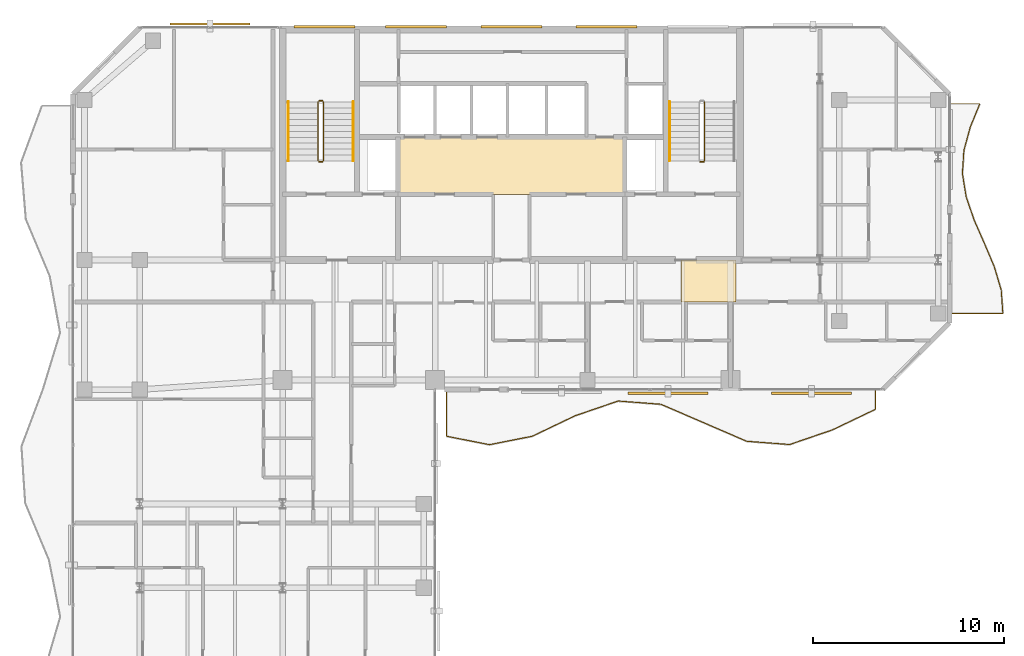
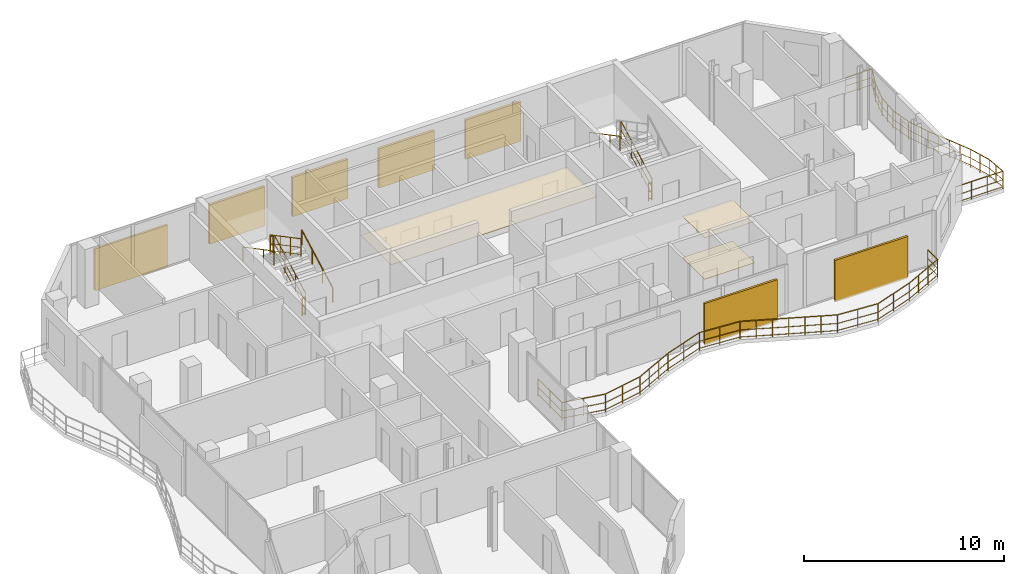
# One storey, part 23 of 24: 11 railings, 7 shading devices, 3 coverings.
"""IFC4 building model written with IfcOpenShell, lengths in metres."""

from ifc_helpers import new_model, si_unit, direction, frame, origin, origin_2d, place, context, subcontext, project, spatial, polyline, rectangle, circle, outline, extrude, material, layer, layer_set, type_object, element, save


model = new_model("IFC4")

# Units and contexts
model_context = context("Model", 3, precision=1e-05, world=origin(), true_north=direction((0.0, 1.0)))
body_context = subcontext(model_context, "Body", "Model", "MODEL_VIEW")
ifc_project = project(units=[si_unit("LENGTHUNIT", "METRE"), si_unit("AREAUNIT", "SQUARE_METRE"), si_unit("VOLUMEUNIT", "CUBIC_METRE"), si_unit("PLANEANGLEUNIT", "RADIAN"), si_unit("MASSUNIT", "GRAM", prefix="KILO")], contexts=[model_context])

# Site, building, storey
site_placement = place(None, origin())
site = spatial("IfcSite", under=ifc_project, at=site_placement, CompositionType="ELEMENT")
building_placement = place(site_placement, origin())
building = spatial("IfcBuilding", under=site, at=building_placement, Name="Catumbela Crestline Tower", CompositionType="ELEMENT")
storey_placement = place(building_placement, frame((0.0, 0.0, 157.8)))
storey = spatial("IfcBuildingStorey", under=building, at=storey_placement, Name="L40", CompositionType="ELEMENT", Elevation=157.8)

# Coverings
ifc_material_1 = material(Name="Mineral-fibre acoustic ceiling")
ifc_layer_1 = layer(ifc_material_1, 0.03, Name="Mineral-fibre acoustic ceiling")
ifc_layer_set_1 = layer_set([ifc_layer_1], Name="Mineral-fibre acoustic ceiling")
covering_type_1 = type_object("IfcCoveringType", Name="CC-AC", PredefinedType="CEILING", material=ifc_layer_set_1)
covering_1_placement = place(storey_placement, frame((0.0, 0.0, 2.65)))
element("IfcCovering", 1, at=covering_1_placement, inside=storey, type_object=covering_type_1, Name="L40 Lift Lobby Acoustic Ceiling", PredefinedType="CEILING", context=body_context, shape_type="SweptSolid", body=[
    extrude(outline(polyline([(22.05, 34.25), (33.95, 34.25), (33.95, 37.25), (22.05, 37.25), (22.05, 34.25)])), origin(), (0.0, 0.0, 1.0), 0.03),
])
covering_2_placement = place(storey_placement, frame((0.0, 0.0, 2.52)))
element("IfcCovering", 2, at=covering_2_placement, inside=storey, type_object=covering_type_1, Name="L40 Corridor Acoustic Ceiling Bay 8", PredefinedType="CEILING", context=body_context, shape_type="SweptSolid", body=[
    extrude(outline(polyline([(36.9, 28.6), (39.8, 28.6), (39.8, 30.8), (36.9, 30.8), (36.9, 28.6)])), origin(), (0.0, 0.0, 1.0), 0.03),
])
ifc_material_2 = material(Name="Angolan grey-ochre granite", Category="masonry")
ifc_layer_2 = layer(ifc_material_2, 0.025, Name="Angolan grey-ochre granite")
ifc_layer_set_2 = layer_set([ifc_layer_2], Name="Angolan grey-ochre granite")
covering_type_2 = type_object("IfcCoveringType", Name="CF-GR", PredefinedType="FLOORING", material=ifc_layer_set_2)
covering_3_placement = place(storey_placement, origin())
element("IfcCovering", 3, at=covering_3_placement, inside=storey, type_object=covering_type_2, Name="L40 Corridor Granite Flooring Bay 8", PredefinedType="FLOORING", context=body_context, shape_type="SweptSolid", body=[
    extrude(outline(polyline([(36.9, 28.6), (39.8, 28.6), (39.8, 30.8), (36.9, 30.8), (36.9, 28.6)])), origin(), (0.0, 0.0, 1.0), 0.025),
])

# Railings
ifc_material_3 = material(Name="Stainless steel EN 1.4401", Category="steel")
railing_type_1 = type_object("IfcRailingType", Name="RB-1100", PredefinedType="BALUSTRADE", material=ifc_material_3)
railing_1_placement = place(storey_placement, frame((24.6, 23.94, 0.0)))
element("IfcRailing", 4, at=railing_1_placement, inside=storey, type_object=railing_type_1, Name="L40 Private Wave Balcony Balustrade 1", PredefinedType="BALUSTRADE", context=body_context, shape_type="SweptSolid", body=[
    extrude(circle(Radius=0.024, at=origin_2d()), frame((0.0, 0.0, 1.076), z_axis=(0.0, -1.0, 0.0), x_axis=(1.0, 0.0, 0.0)), (0.0, 0.0, 1.0), 2.3853),
    extrude(circle(Radius=0.0156, at=origin_2d()), frame((0.0, 0.0, 0.55), z_axis=(0.0, -1.0, 0.0), x_axis=(1.0, 0.0, 0.0)), (0.0, 0.0, 1.0), 2.3853),
    extrude(circle(Radius=0.0156, at=origin_2d()), frame((0.0, 0.0, 0.12), z_axis=(0.0, -1.0, 0.0), x_axis=(1.0, 0.0, 0.0)), (0.0, 0.0, 1.0), 2.3853),
    extrude(circle(Radius=0.024, at=origin_2d()), frame((0.0, -2.3853, 1.076), z_axis=(0.981022553047, -0.193893657484, 0.0), x_axis=(0.193893657484, 0.981022553047, 0.0)), (0.0, 0.0, 1.0), 2.2935),
    extrude(circle(Radius=0.0156, at=origin_2d()), frame((0.0, -2.3853, 0.55), z_axis=(0.981022553047, -0.193893657484, 0.0), x_axis=(0.193893657484, 0.981022553047, 0.0)), (0.0, 0.0, 1.0), 2.2935),
    extrude(circle(Radius=0.0156, at=origin_2d()), frame((0.0, -2.3853, 0.12), z_axis=(0.981022553047, -0.193893657484, 0.0), x_axis=(0.193893657484, 0.981022553047, 0.0)), (0.0, 0.0, 1.0), 2.2935),
    extrude(circle(Radius=0.024, at=origin_2d()), frame((2.25, -2.83, 1.076), z_axis=(0.981022553047, 0.193893657484, 0.0), x_axis=(-0.193893657484, 0.981022553047, 0.0)), (0.0, 0.0, 1.0), 2.2935),
    extrude(circle(Radius=0.0156, at=origin_2d()), frame((2.25, -2.83, 0.55), z_axis=(0.981022553047, 0.193893657484, 0.0), x_axis=(-0.193893657484, 0.981022553047, 0.0)), (0.0, 0.0, 1.0), 2.2935),
    extrude(circle(Radius=0.0156, at=origin_2d()), frame((2.25, -2.83, 0.12), z_axis=(0.981022553047, 0.193893657484, 0.0), x_axis=(-0.193893657484, 0.981022553047, 0.0)), (0.0, 0.0, 1.0), 2.2935),
    extrude(circle(Radius=0.024, at=origin_2d()), frame((4.5, -2.3853, 1.076), z_axis=(0.902132186045, 0.431459753513, 0.0), x_axis=(-0.431459753513, 0.902132186045, 0.0)), (0.0, 0.0, 1.0), 2.4941),
    extrude(circle(Radius=0.0156, at=origin_2d()), frame((4.5, -2.3853, 0.55), z_axis=(0.902132186045, 0.431459753513, 0.0), x_axis=(-0.431459753513, 0.902132186045, 0.0)), (0.0, 0.0, 1.0), 2.4941),
    extrude(circle(Radius=0.0156, at=origin_2d()), frame((4.5, -2.3853, 0.12), z_axis=(0.902132186045, 0.431459753513, 0.0), x_axis=(-0.431459753513, 0.902132186045, 0.0)), (0.0, 0.0, 1.0), 2.4941),
    extrude(circle(Radius=0.024, at=origin_2d()), frame((6.75, -1.3092, 1.076), z_axis=(0.946065665735, 0.323974931311, 0.0), x_axis=(-0.323974931311, 0.946065665735, 0.0)), (0.0, 0.0, 1.0), 2.3783),
    extrude(circle(Radius=0.0156, at=origin_2d()), frame((6.75, -1.3092, 0.55), z_axis=(0.946065665735, 0.323974931311, 0.0), x_axis=(-0.323974931311, 0.946065665735, 0.0)), (0.0, 0.0, 1.0), 2.3783),
    extrude(circle(Radius=0.0156, at=origin_2d()), frame((6.75, -1.3092, 0.12), z_axis=(0.946065665735, 0.323974931311, 0.0), x_axis=(-0.323974931311, 0.946065665735, 0.0)), (0.0, 0.0, 1.0), 2.3783),
    extrude(circle(Radius=0.024, at=origin_2d()), frame((9.0, -0.5387, 1.076), z_axis=(0.997141170455, -0.075561142028, 0.0), x_axis=(0.075561142028, 0.997141170455, 0.0)), (0.0, 0.0, 1.0), 2.2565),
    extrude(circle(Radius=0.0156, at=origin_2d()), frame((9.0, -0.5387, 0.55), z_axis=(0.997141170455, -0.075561142028, 0.0), x_axis=(0.075561142028, 0.997141170455, 0.0)), (0.0, 0.0, 1.0), 2.2565),
    extrude(circle(Radius=0.0156, at=origin_2d()), frame((9.0, -0.5387, 0.12), z_axis=(0.997141170455, -0.075561142028, 0.0), x_axis=(0.075561142028, 0.997141170455, 0.0)), (0.0, 0.0, 1.0), 2.2565),
    extrude(circle(Radius=0.024, at=origin_2d()), frame((11.25, -0.7092, 1.076), z_axis=(0.918179780553, -0.396163969316, 0.0), x_axis=(0.396163969316, 0.918179780553, 0.0)), (0.0, 0.0, 1.0), 2.4505),
    extrude(circle(Radius=0.0156, at=origin_2d()), frame((11.25, -0.7092, 0.55), z_axis=(0.918179780553, -0.396163969316, 0.0), x_axis=(0.396163969316, 0.918179780553, 0.0)), (0.0, 0.0, 1.0), 2.4505),
    extrude(circle(Radius=0.0156, at=origin_2d()), frame((11.25, -0.7092, 0.12), z_axis=(0.918179780553, -0.396163969316, 0.0), x_axis=(0.396163969316, 0.918179780553, 0.0)), (0.0, 0.0, 1.0), 2.4505),
    extrude(circle(Radius=0.024, at=origin_2d()), frame((13.5, -1.68, 1.076), z_axis=(0.918179780553, -0.396163969316, 0.0), x_axis=(0.396163969316, 0.918179780553, 0.0)), (0.0, 0.0, 1.0), 2.4505),
    extrude(circle(Radius=0.0156, at=origin_2d()), frame((13.5, -1.68, 0.55), z_axis=(0.918179780553, -0.396163969316, 0.0), x_axis=(0.396163969316, 0.918179780553, 0.0)), (0.0, 0.0, 1.0), 2.4505),
    extrude(circle(Radius=0.0156, at=origin_2d()), frame((13.5, -1.68, 0.12), z_axis=(0.918179780553, -0.396163969316, 0.0), x_axis=(0.396163969316, 0.918179780553, 0.0)), (0.0, 0.0, 1.0), 2.4505),
    extrude(circle(Radius=0.024, at=origin_2d()), frame((15.75, -2.6508, 1.076), z_axis=(0.997141170455, -0.075561142028, 0.0), x_axis=(0.075561142028, 0.997141170455, 0.0)), (0.0, 0.0, 1.0), 2.2565),
    extrude(circle(Radius=0.0156, at=origin_2d()), frame((15.75, -2.6508, 0.55), z_axis=(0.997141170455, -0.075561142028, 0.0), x_axis=(0.075561142028, 0.997141170455, 0.0)), (0.0, 0.0, 1.0), 2.2565),
    extrude(circle(Radius=0.0156, at=origin_2d()), frame((15.75, -2.6508, 0.12), z_axis=(0.997141170455, -0.075561142028, 0.0), x_axis=(0.075561142028, 0.997141170455, 0.0)), (0.0, 0.0, 1.0), 2.2565),
    extrude(circle(Radius=0.024, at=origin_2d()), frame((18.0, -2.8213, 1.076), z_axis=(0.946065665735, 0.323974931311, 0.0), x_axis=(-0.323974931311, 0.946065665735, 0.0)), (0.0, 0.0, 1.0), 2.3783),
    extrude(circle(Radius=0.0156, at=origin_2d()), frame((18.0, -2.8213, 0.55), z_axis=(0.946065665735, 0.323974931311, 0.0), x_axis=(-0.323974931311, 0.946065665735, 0.0)), (0.0, 0.0, 1.0), 2.3783),
    extrude(circle(Radius=0.0156, at=origin_2d()), frame((18.0, -2.8213, 0.12), z_axis=(0.946065665735, 0.323974931311, 0.0), x_axis=(-0.323974931311, 0.946065665735, 0.0)), (0.0, 0.0, 1.0), 2.3783),
    extrude(circle(Radius=0.024, at=origin_2d()), frame((20.25, -2.0508, 1.076), z_axis=(0.902132186045, 0.431459753513, 0.0), x_axis=(-0.431459753513, 0.902132186045, 0.0)), (0.0, 0.0, 1.0), 2.4941),
    extrude(circle(Radius=0.0156, at=origin_2d()), frame((20.25, -2.0508, 0.55), z_axis=(0.902132186045, 0.431459753513, 0.0), x_axis=(-0.431459753513, 0.902132186045, 0.0)), (0.0, 0.0, 1.0), 2.4941),
    extrude(circle(Radius=0.0156, at=origin_2d()), frame((20.25, -2.0508, 0.12), z_axis=(0.902132186045, 0.431459753513, 0.0), x_axis=(-0.431459753513, 0.902132186045, 0.0)), (0.0, 0.0, 1.0), 2.4941),
    extrude(circle(Radius=0.024, at=origin_2d()), frame((22.5, -0.9747, 1.076), z_axis=(0.0, 1.0, 0.0), x_axis=(-1.0, 0.0, 0.0)), (0.0, 0.0, 1.0), 0.9747),
    extrude(circle(Radius=0.0156, at=origin_2d()), frame((22.5, -0.9747, 0.55), z_axis=(0.0, 1.0, 0.0), x_axis=(-1.0, 0.0, 0.0)), (0.0, 0.0, 1.0), 0.9747),
    extrude(circle(Radius=0.0156, at=origin_2d()), frame((22.5, -0.9747, 0.12), z_axis=(0.0, 1.0, 0.0), x_axis=(-1.0, 0.0, 0.0)), (0.0, 0.0, 1.0), 0.9747),
    extrude(circle(Radius=0.021, at=origin_2d()), origin(), (0.0, 0.0, 1.0), 1.052),
    extrude(circle(Radius=0.021, at=origin_2d()), frame((0.0, -1.1927, 0.0)), (0.0, 0.0, 1.0), 1.052),
    extrude(circle(Radius=0.021, at=origin_2d()), frame((0.0, -2.3853, 0.0)), (0.0, 0.0, 1.0), 1.052),
    extrude(circle(Radius=0.021, at=origin_2d()), frame((1.125, -2.6077, 0.0)), (0.0, 0.0, 1.0), 1.052),
    extrude(circle(Radius=0.021, at=origin_2d()), frame((2.25, -2.83, 0.0)), (0.0, 0.0, 1.0), 1.052),
    extrude(circle(Radius=0.021, at=origin_2d()), frame((3.375, -2.6077, 0.0)), (0.0, 0.0, 1.0), 1.052),
    extrude(circle(Radius=0.021, at=origin_2d()), frame((4.5, -2.3853, 0.0)), (0.0, 0.0, 1.0), 1.052),
    extrude(circle(Radius=0.021, at=origin_2d()), frame((5.25, -2.0266, 0.0)), (0.0, 0.0, 1.0), 1.052),
    extrude(circle(Radius=0.021, at=origin_2d()), frame((6.0, -1.6679, 0.0)), (0.0, 0.0, 1.0), 1.052),
    extrude(circle(Radius=0.021, at=origin_2d()), frame((6.75, -1.3092, 0.0)), (0.0, 0.0, 1.0), 1.052),
    extrude(circle(Radius=0.021, at=origin_2d()), frame((7.875, -0.924, 0.0)), (0.0, 0.0, 1.0), 1.052),
    extrude(circle(Radius=0.021, at=origin_2d()), frame((9.0, -0.5387, 0.0)), (0.0, 0.0, 1.0), 1.052),
    extrude(circle(Radius=0.021, at=origin_2d()), frame((10.125, -0.624, 0.0)), (0.0, 0.0, 1.0), 1.052),
    extrude(circle(Radius=0.021, at=origin_2d()), frame((11.25, -0.7092, 0.0)), (0.0, 0.0, 1.0), 1.052),
    extrude(circle(Radius=0.021, at=origin_2d()), frame((12.0, -1.0328, 0.0)), (0.0, 0.0, 1.0), 1.052),
    extrude(circle(Radius=0.021, at=origin_2d()), frame((12.75, -1.3564, 0.0)), (0.0, 0.0, 1.0), 1.052),
    extrude(circle(Radius=0.021, at=origin_2d()), frame((13.5, -1.68, 0.0)), (0.0, 0.0, 1.0), 1.052),
    extrude(circle(Radius=0.021, at=origin_2d()), frame((14.25, -2.0036, 0.0)), (0.0, 0.0, 1.0), 1.052),
    extrude(circle(Radius=0.021, at=origin_2d()), frame((15.0, -2.3272, 0.0)), (0.0, 0.0, 1.0), 1.052),
    extrude(circle(Radius=0.021, at=origin_2d()), frame((15.75, -2.6508, 0.0)), (0.0, 0.0, 1.0), 1.052),
    extrude(circle(Radius=0.021, at=origin_2d()), frame((16.875, -2.7361, 0.0)), (0.0, 0.0, 1.0), 1.052),
    extrude(circle(Radius=0.021, at=origin_2d()), frame((18.0, -2.8213, 0.0)), (0.0, 0.0, 1.0), 1.052),
    extrude(circle(Radius=0.021, at=origin_2d()), frame((19.125, -2.4361, 0.0)), (0.0, 0.0, 1.0), 1.052),
    extrude(circle(Radius=0.021, at=origin_2d()), frame((20.25, -2.0508, 0.0)), (0.0, 0.0, 1.0), 1.052),
    extrude(circle(Radius=0.021, at=origin_2d()), frame((21.0, -1.6921, 0.0)), (0.0, 0.0, 1.0), 1.052),
    extrude(circle(Radius=0.021, at=origin_2d()), frame((21.75, -1.3334, 0.0)), (0.0, 0.0, 1.0), 1.052),
    extrude(circle(Radius=0.021, at=origin_2d()), frame((22.5, -0.9747, 0.0)), (0.0, 0.0, 1.0), 1.052),
    extrude(circle(Radius=0.021, at=origin_2d()), frame((22.5, 0.0, 0.0)), (0.0, 0.0, 1.0), 1.052),
])
railing_2_placement = place(storey_placement, frame((51.06, 28.0, 0.0)))
element("IfcRailing", 5, at=railing_2_placement, inside=storey, type_object=railing_type_1, Name="L40 Private Wave Balcony Balustrade 2", PredefinedType="BALUSTRADE", context=body_context, shape_type="SweptSolid", body=[
    extrude(circle(Radius=0.024, at=origin_2d()), frame((0.0, 0.0, 1.076), z_axis=(1.0, 0.0, 0.0), x_axis=(0.0, 1.0, 0.0)), (0.0, 0.0, 1.0), 2.73),
    extrude(circle(Radius=0.0156, at=origin_2d()), frame((0.0, 0.0, 0.55), z_axis=(1.0, 0.0, 0.0), x_axis=(0.0, 1.0, 0.0)), (0.0, 0.0, 1.0), 2.73),
    extrude(circle(Radius=0.0156, at=origin_2d()), frame((0.0, 0.0, 0.12), z_axis=(1.0, 0.0, 0.0), x_axis=(0.0, 1.0, 0.0)), (0.0, 0.0, 1.0), 2.73),
    extrude(circle(Radius=0.024, at=origin_2d()), frame((2.73, 0.0, 1.076), z_axis=(-0.0709222488, 0.997481846765, 0.0), x_axis=(-0.997481846765, -0.0709222488, 0.0)), (0.0, 0.0, 1.0), 1.2253),
    extrude(circle(Radius=0.0156, at=origin_2d()), frame((2.73, 0.0, 0.55), z_axis=(-0.0709222488, 0.997481846765, 0.0), x_axis=(-0.997481846765, -0.0709222488, 0.0)), (0.0, 0.0, 1.0), 1.2253),
    extrude(circle(Radius=0.0156, at=origin_2d()), frame((2.73, 0.0, 0.12), z_axis=(-0.0709222488, 0.997481846765, 0.0), x_axis=(-0.997481846765, -0.0709222488, 0.0)), (0.0, 0.0, 1.0), 1.2253),
    extrude(circle(Radius=0.024, at=origin_2d()), frame((2.6431, 1.2222, 1.076), z_axis=(-0.284569004253, 0.95865555953, 0.0), x_axis=(-0.95865555953, -0.284569004253, 0.0)), (0.0, 0.0, 1.0), 1.2749),
    extrude(circle(Radius=0.0156, at=origin_2d()), frame((2.6431, 1.2222, 0.55), z_axis=(-0.284569004253, 0.95865555953, 0.0), x_axis=(-0.95865555953, -0.284569004253, 0.0)), (0.0, 0.0, 1.0), 1.2749),
    extrude(circle(Radius=0.0156, at=origin_2d()), frame((2.6431, 1.2222, 0.12), z_axis=(-0.284569004253, 0.95865555953, 0.0), x_axis=(-0.95865555953, -0.284569004253, 0.0)), (0.0, 0.0, 1.0), 1.2749),
    extrude(circle(Radius=0.024, at=origin_2d()), frame((2.2803, 2.4444, 1.076), z_axis=(-0.389431030988, 0.921055629212, 0.0), x_axis=(-0.921055629212, -0.389431030988, 0.0)), (0.0, 0.0, 1.0), 1.3271),
    extrude(circle(Radius=0.0156, at=origin_2d()), frame((2.2803, 2.4444, 0.55), z_axis=(-0.389431030988, 0.921055629212, 0.0), x_axis=(-0.921055629212, -0.389431030988, 0.0)), (0.0, 0.0, 1.0), 1.3271),
    extrude(circle(Radius=0.0156, at=origin_2d()), frame((2.2803, 2.4444, 0.12), z_axis=(-0.389431030988, 0.921055629212, 0.0), x_axis=(-0.921055629212, -0.389431030988, 0.0)), (0.0, 0.0, 1.0), 1.3271),
    extrude(circle(Radius=0.024, at=origin_2d()), frame((1.7635, 3.6667, 1.076), z_axis=(-0.403009613684, 0.915195744788, 0.0), x_axis=(-0.915195744788, -0.403009613684, 0.0)), (0.0, 0.0, 1.0), 1.3355),
    extrude(circle(Radius=0.0156, at=origin_2d()), frame((1.7635, 3.6667, 0.55), z_axis=(-0.403009613684, 0.915195744788, 0.0), x_axis=(-0.915195744788, -0.403009613684, 0.0)), (0.0, 0.0, 1.0), 1.3355),
    extrude(circle(Radius=0.0156, at=origin_2d()), frame((1.7635, 3.6667, 0.12), z_axis=(-0.403009613684, 0.915195744788, 0.0), x_axis=(-0.915195744788, -0.403009613684, 0.0)), (0.0, 0.0, 1.0), 1.3355),
    extrude(circle(Radius=0.024, at=origin_2d()), frame((1.2253, 4.8889, 1.076), z_axis=(-0.326095564371, 0.945336809237, 0.0), x_axis=(-0.945336809237, -0.326095564371, 0.0)), (0.0, 0.0, 1.0), 1.2929),
    extrude(circle(Radius=0.0156, at=origin_2d()), frame((1.2253, 4.8889, 0.55), z_axis=(-0.326095564371, 0.945336809237, 0.0), x_axis=(-0.945336809237, -0.326095564371, 0.0)), (0.0, 0.0, 1.0), 1.2929),
    extrude(circle(Radius=0.0156, at=origin_2d()), frame((1.2253, 4.8889, 0.12), z_axis=(-0.326095564371, 0.945336809237, 0.0), x_axis=(-0.945336809237, -0.326095564371, 0.0)), (0.0, 0.0, 1.0), 1.2929),
    extrude(circle(Radius=0.024, at=origin_2d()), frame((0.8037, 6.1111, 1.076), z_axis=(-0.159052119086, 0.987270187646, 0.0), x_axis=(-0.987270187646, -0.159052119086, 0.0)), (0.0, 0.0, 1.0), 1.238),
    extrude(circle(Radius=0.0156, at=origin_2d()), frame((0.8037, 6.1111, 0.55), z_axis=(-0.159052119086, 0.987270187646, 0.0), x_axis=(-0.987270187646, -0.159052119086, 0.0)), (0.0, 0.0, 1.0), 1.238),
    extrude(circle(Radius=0.0156, at=origin_2d()), frame((0.8037, 6.1111, 0.12), z_axis=(-0.159052119086, 0.987270187646, 0.0), x_axis=(-0.987270187646, -0.159052119086, 0.0)), (0.0, 0.0, 1.0), 1.238),
    extrude(circle(Radius=0.024, at=origin_2d()), frame((0.6068, 7.3333, 1.076), z_axis=(0.063928524722, 0.997954479787, 0.0), x_axis=(-0.997954479787, 0.063928524722, 0.0)), (0.0, 0.0, 1.0), 1.2248),
    extrude(circle(Radius=0.0156, at=origin_2d()), frame((0.6068, 7.3333, 0.55), z_axis=(0.063928524722, 0.997954479787, 0.0), x_axis=(-0.997954479787, 0.063928524722, 0.0)), (0.0, 0.0, 1.0), 1.2248),
    extrude(circle(Radius=0.0156, at=origin_2d()), frame((0.6068, 7.3333, 0.12), z_axis=(0.063928524722, 0.997954479787, 0.0), x_axis=(-0.997954479787, 0.063928524722, 0.0)), (0.0, 0.0, 1.0), 1.2248),
    extrude(circle(Radius=0.024, at=origin_2d()), frame((0.6851, 8.5556, 1.076), z_axis=(0.263244304818, 0.964729203446, 0.0), x_axis=(-0.964729203446, 0.263244304818, 0.0)), (0.0, 0.0, 1.0), 1.2669),
    extrude(circle(Radius=0.0156, at=origin_2d()), frame((0.6851, 8.5556, 0.55), z_axis=(0.263244304818, 0.964729203446, 0.0), x_axis=(-0.964729203446, 0.263244304818, 0.0)), (0.0, 0.0, 1.0), 1.2669),
    extrude(circle(Radius=0.0156, at=origin_2d()), frame((0.6851, 8.5556, 0.12), z_axis=(0.263244304818, 0.964729203446, 0.0), x_axis=(-0.964729203446, 0.263244304818, 0.0)), (0.0, 0.0, 1.0), 1.2669),
    extrude(circle(Radius=0.024, at=origin_2d()), frame((1.0186, 9.7778, 1.076), z_axis=(0.380582356564, 0.924747030204, 0.0), x_axis=(-0.924747030204, 0.380582356564, 0.0)), (0.0, 0.0, 1.0), 1.3217),
    extrude(circle(Radius=0.0156, at=origin_2d()), frame((1.0186, 9.7778, 0.55), z_axis=(0.380582356564, 0.924747030204, 0.0), x_axis=(-0.924747030204, 0.380582356564, 0.0)), (0.0, 0.0, 1.0), 1.3217),
    extrude(circle(Radius=0.0156, at=origin_2d()), frame((1.0186, 9.7778, 0.12), z_axis=(0.380582356564, 0.924747030204, 0.0), x_axis=(-0.924747030204, 0.380582356564, 0.0)), (0.0, 0.0, 1.0), 1.3217),
    extrude(circle(Radius=0.024, at=origin_2d()), frame((1.5216, 11.0, 1.076), z_axis=(-1.0, 0.0, 0.0), x_axis=(0.0, -1.0, 0.0)), (0.0, 0.0, 1.0), 1.5216),
    extrude(circle(Radius=0.0156, at=origin_2d()), frame((1.5216, 11.0, 0.55), z_axis=(-1.0, 0.0, 0.0), x_axis=(0.0, -1.0, 0.0)), (0.0, 0.0, 1.0), 1.5216),
    extrude(circle(Radius=0.0156, at=origin_2d()), frame((1.5216, 11.0, 0.12), z_axis=(-1.0, 0.0, 0.0), x_axis=(0.0, -1.0, 0.0)), (0.0, 0.0, 1.0), 1.5216),
    extrude(circle(Radius=0.021, at=origin_2d()), origin(), (0.0, 0.0, 1.0), 1.052),
    extrude(circle(Radius=0.021, at=origin_2d()), frame((0.91, 0.0, 0.0)), (0.0, 0.0, 1.0), 1.052),
    extrude(circle(Radius=0.021, at=origin_2d()), frame((1.82, 0.0, 0.0)), (0.0, 0.0, 1.0), 1.052),
    extrude(circle(Radius=0.021, at=origin_2d()), frame((2.73, 0.0, 0.0)), (0.0, 0.0, 1.0), 1.052),
    extrude(circle(Radius=0.021, at=origin_2d()), frame((2.6865, 0.6111, 0.0)), (0.0, 0.0, 1.0), 1.052),
    extrude(circle(Radius=0.021, at=origin_2d()), frame((2.6431, 1.2222, 0.0)), (0.0, 0.0, 1.0), 1.052),
    extrude(circle(Radius=0.021, at=origin_2d()), frame((2.4617, 1.8333, 0.0)), (0.0, 0.0, 1.0), 1.052),
    extrude(circle(Radius=0.021, at=origin_2d()), frame((2.2803, 2.4444, 0.0)), (0.0, 0.0, 1.0), 1.052),
    extrude(circle(Radius=0.021, at=origin_2d()), frame((2.0219, 3.0556, 0.0)), (0.0, 0.0, 1.0), 1.052),
    extrude(circle(Radius=0.021, at=origin_2d()), frame((1.7635, 3.6667, 0.0)), (0.0, 0.0, 1.0), 1.052),
    extrude(circle(Radius=0.021, at=origin_2d()), frame((1.4944, 4.2778, 0.0)), (0.0, 0.0, 1.0), 1.052),
    extrude(circle(Radius=0.021, at=origin_2d()), frame((1.2253, 4.8889, 0.0)), (0.0, 0.0, 1.0), 1.052),
    extrude(circle(Radius=0.021, at=origin_2d()), frame((1.0145, 5.5, 0.0)), (0.0, 0.0, 1.0), 1.052),
    extrude(circle(Radius=0.021, at=origin_2d()), frame((0.8037, 6.1111, 0.0)), (0.0, 0.0, 1.0), 1.052),
    extrude(circle(Radius=0.021, at=origin_2d()), frame((0.7052, 6.7222, 0.0)), (0.0, 0.0, 1.0), 1.052),
    extrude(circle(Radius=0.021, at=origin_2d()), frame((0.6068, 7.3333, 0.0)), (0.0, 0.0, 1.0), 1.052),
    extrude(circle(Radius=0.021, at=origin_2d()), frame((0.6459, 7.9444, 0.0)), (0.0, 0.0, 1.0), 1.052),
    extrude(circle(Radius=0.021, at=origin_2d()), frame((0.6851, 8.5556, 0.0)), (0.0, 0.0, 1.0), 1.052),
    extrude(circle(Radius=0.021, at=origin_2d()), frame((0.8518, 9.1667, 0.0)), (0.0, 0.0, 1.0), 1.052),
    extrude(circle(Radius=0.021, at=origin_2d()), frame((1.0186, 9.7778, 0.0)), (0.0, 0.0, 1.0), 1.052),
    extrude(circle(Radius=0.021, at=origin_2d()), frame((1.2701, 10.3889, 0.0)), (0.0, 0.0, 1.0), 1.052),
    extrude(circle(Radius=0.021, at=origin_2d()), frame((1.5216, 11.0, 0.0)), (0.0, 0.0, 1.0), 1.052),
    extrude(circle(Radius=0.021, at=origin_2d()), frame((0.7608, 11.0, 0.0)), (0.0, 0.0, 1.0), 1.052),
    extrude(circle(Radius=0.021, at=origin_2d()), frame((0.0, 11.0, 0.0)), (0.0, 0.0, 1.0), 1.052),
])
railing_type_2 = type_object("IfcRailingType", Name="RG-1100", PredefinedType="GUARDRAIL", material=ifc_material_3)
railing_3_placement = place(storey_placement, frame((18.14, 36.0, 0.1636)))
element("IfcRailing", 6, at=railing_3_placement, inside=storey, type_object=railing_type_2, Name="L40 ST-01 stair guard 1", PredefinedType="GUARDRAIL", context=body_context, shape_type="SweptSolid", body=[
    extrude(circle(Radius=0.024, at=origin_2d()), frame((0.0, 0.0, 1.076), z_axis=(0.0, 0.884350731049, 0.466823076222), x_axis=(-1.0, 0.0, 0.0)), (0.0, 0.0, 1.0), 3.5054),
    extrude(circle(Radius=0.0156, at=origin_2d()), frame((0.0, 0.0, 0.55), z_axis=(0.0, 0.884350731049, 0.466823076222), x_axis=(-1.0, 0.0, 0.0)), (0.0, 0.0, 1.0), 3.5054),
    extrude(circle(Radius=0.0156, at=origin_2d()), frame((0.0, 0.0, 0.12), z_axis=(0.0, 0.884350731049, 0.466823076222), x_axis=(-1.0, 0.0, 0.0)), (0.0, 0.0, 1.0), 3.5054),
    extrude(circle(Radius=0.021, at=origin_2d()), origin(), (0.0, 0.0, 1.0), 1.052),
    extrude(circle(Radius=0.021, at=origin_2d()), frame((0.0, 1.0333, 0.5455)), (0.0, 0.0, 1.0), 1.052),
    extrude(circle(Radius=0.021, at=origin_2d()), frame((0.0, 2.0667, 1.0909)), (0.0, 0.0, 1.0), 1.052),
    extrude(circle(Radius=0.021, at=origin_2d()), frame((0.0, 3.1, 1.6364)), (0.0, 0.0, 1.0), 1.052),
])
railing_4_placement = place(storey_placement, frame((18.09, 39.15, 1.8)))
element("IfcRailing", 7, at=railing_4_placement, inside=storey, type_object=railing_type_2, Name="L40 ST-01 stair guard 2", PredefinedType="GUARDRAIL", context=body_context, shape_type="SweptSolid", body=[
    extrude(circle(Radius=0.024, at=origin_2d()), frame((0.0, 0.0, 1.076), z_axis=(-1.0, 0.0, 0.0), x_axis=(0.0, -1.0, 0.0)), (0.0, 0.0, 1.0), 0.18),
    extrude(circle(Radius=0.0156, at=origin_2d()), frame((0.0, 0.0, 0.55), z_axis=(-1.0, 0.0, 0.0), x_axis=(0.0, -1.0, 0.0)), (0.0, 0.0, 1.0), 0.18),
    extrude(circle(Radius=0.0156, at=origin_2d()), frame((0.0, 0.0, 0.12), z_axis=(-1.0, 0.0, 0.0), x_axis=(0.0, -1.0, 0.0)), (0.0, 0.0, 1.0), 0.18),
    extrude(circle(Radius=0.021, at=origin_2d()), origin(), (0.0, 0.0, 1.0), 1.052),
    extrude(circle(Radius=0.021, at=origin_2d()), frame((-0.18, 0.0, 0.0)), (0.0, 0.0, 1.0), 1.052),
])
railing_5_placement = place(storey_placement, frame((17.86, 39.1, 1.9636)))
element("IfcRailing", 8, at=railing_5_placement, inside=storey, type_object=railing_type_2, Name="L40 ST-01 stair guard 3", PredefinedType="GUARDRAIL", context=body_context, shape_type="SweptSolid", body=[
    extrude(circle(Radius=0.024, at=origin_2d()), frame((0.0, 0.0, 1.076), z_axis=(0.0, -0.884350731049, 0.466823076222), x_axis=(1.0, 0.0, 0.0)), (0.0, 0.0, 1.0), 3.5054),
    extrude(circle(Radius=0.0156, at=origin_2d()), frame((0.0, 0.0, 0.55), z_axis=(0.0, -0.884350731049, 0.466823076222), x_axis=(1.0, 0.0, 0.0)), (0.0, 0.0, 1.0), 3.5054),
    extrude(circle(Radius=0.0156, at=origin_2d()), frame((0.0, 0.0, 0.12), z_axis=(0.0, -0.884350731049, 0.466823076222), x_axis=(1.0, 0.0, 0.0)), (0.0, 0.0, 1.0), 3.5054),
    extrude(circle(Radius=0.021, at=origin_2d()), origin(), (0.0, 0.0, 1.0), 1.052),
    extrude(circle(Radius=0.021, at=origin_2d()), frame((0.0, -1.0333, 0.5455)), (0.0, 0.0, 1.0), 1.052),
    extrude(circle(Radius=0.021, at=origin_2d()), frame((0.0, -2.0667, 1.0909)), (0.0, 0.0, 1.0), 1.052),
    extrude(circle(Radius=0.021, at=origin_2d()), frame((0.0, -3.1, 1.6364)), (0.0, 0.0, 1.0), 1.052),
])
railing_6_placement = place(storey_placement, frame((18.09, 35.95, 0.0)))
element("IfcRailing", 9, at=railing_6_placement, inside=storey, type_object=railing_type_2, Name="L40 ST-01 stair guard 4", PredefinedType="GUARDRAIL", context=body_context, shape_type="SweptSolid", body=[
    extrude(circle(Radius=0.024, at=origin_2d()), frame((0.0, 0.0, 1.076), z_axis=(-1.0, 0.0, 0.0), x_axis=(0.0, -1.0, 0.0)), (0.0, 0.0, 1.0), 0.18),
    extrude(circle(Radius=0.0156, at=origin_2d()), frame((0.0, 0.0, 0.55), z_axis=(-1.0, 0.0, 0.0), x_axis=(0.0, -1.0, 0.0)), (0.0, 0.0, 1.0), 0.18),
    extrude(circle(Radius=0.0156, at=origin_2d()), frame((0.0, 0.0, 0.12), z_axis=(-1.0, 0.0, 0.0), x_axis=(0.0, -1.0, 0.0)), (0.0, 0.0, 1.0), 0.18),
    extrude(circle(Radius=0.021, at=origin_2d()), origin(), (0.0, 0.0, 1.0), 1.052),
    extrude(circle(Radius=0.021, at=origin_2d()), frame((-0.18, 0.0, 0.0)), (0.0, 0.0, 1.0), 1.052),
])
railing_7_placement = place(storey_placement, frame((38.14, 36.0, 0.1636)))
element("IfcRailing", 10, at=railing_7_placement, inside=storey, type_object=railing_type_2, Name="L40 ST-02 stair guard 1", PredefinedType="GUARDRAIL", context=body_context, shape_type="SweptSolid", body=[
    extrude(circle(Radius=0.024, at=origin_2d()), frame((0.0, 0.0, 1.076), z_axis=(0.0, 0.884350731049, 0.466823076222), x_axis=(-1.0, 0.0, 0.0)), (0.0, 0.0, 1.0), 3.5054),
    extrude(circle(Radius=0.0156, at=origin_2d()), frame((0.0, 0.0, 0.55), z_axis=(0.0, 0.884350731049, 0.466823076222), x_axis=(-1.0, 0.0, 0.0)), (0.0, 0.0, 1.0), 3.5054),
    extrude(circle(Radius=0.0156, at=origin_2d()), frame((0.0, 0.0, 0.12), z_axis=(0.0, 0.884350731049, 0.466823076222), x_axis=(-1.0, 0.0, 0.0)), (0.0, 0.0, 1.0), 3.5054),
    extrude(circle(Radius=0.021, at=origin_2d()), origin(), (0.0, 0.0, 1.0), 1.052),
    extrude(circle(Radius=0.021, at=origin_2d()), frame((0.0, 1.0333, 0.5455)), (0.0, 0.0, 1.0), 1.052),
    extrude(circle(Radius=0.021, at=origin_2d()), frame((0.0, 2.0667, 1.0909)), (0.0, 0.0, 1.0), 1.052),
    extrude(circle(Radius=0.021, at=origin_2d()), frame((0.0, 3.1, 1.6364)), (0.0, 0.0, 1.0), 1.052),
])
railing_8_placement = place(storey_placement, frame((38.09, 35.95, 0.0)))
element("IfcRailing", 11, at=railing_8_placement, inside=storey, type_object=railing_type_2, Name="L40 ST-02 stair guard 4", PredefinedType="GUARDRAIL", context=body_context, shape_type="SweptSolid", body=[
    extrude(circle(Radius=0.024, at=origin_2d()), frame((0.0, 0.0, 1.076), z_axis=(-1.0, 0.0, 0.0), x_axis=(0.0, -1.0, 0.0)), (0.0, 0.0, 1.0), 0.18),
    extrude(circle(Radius=0.0156, at=origin_2d()), frame((0.0, 0.0, 0.55), z_axis=(-1.0, 0.0, 0.0), x_axis=(0.0, -1.0, 0.0)), (0.0, 0.0, 1.0), 0.18),
    extrude(circle(Radius=0.0156, at=origin_2d()), frame((0.0, 0.0, 0.12), z_axis=(-1.0, 0.0, 0.0), x_axis=(0.0, -1.0, 0.0)), (0.0, 0.0, 1.0), 0.18),
    extrude(circle(Radius=0.021, at=origin_2d()), origin(), (0.0, 0.0, 1.0), 1.052),
    extrude(circle(Radius=0.021, at=origin_2d()), frame((-0.18, 0.0, 0.0)), (0.0, 0.0, 1.0), 1.052),
])
railing_type_3 = type_object("IfcRailingType", Name="RH-0900", PredefinedType="HANDRAIL", material=ifc_material_3)
railing_9_placement = place(storey_placement, frame((19.7, 36.0, 0.1636)))
element("IfcRailing", 12, at=railing_9_placement, inside=storey, type_object=railing_type_3, Name="L40 ST-01 stair handrail 1", PredefinedType="HANDRAIL", context=body_context, shape_type="SweptSolid", body=[
    extrude(circle(Radius=0.024, at=origin_2d()), frame((0.0, 0.0, 0.876), z_axis=(0.0, 0.884350731049, 0.466823076222), x_axis=(-1.0, 0.0, 0.0)), (0.0, 0.0, 1.0), 3.5054),
    extrude(circle(Radius=0.021, at=origin_2d()), origin(), (0.0, 0.0, 1.0), 0.852),
    extrude(circle(Radius=0.021, at=origin_2d()), frame((0.0, 1.0333, 0.5455)), (0.0, 0.0, 1.0), 0.852),
    extrude(circle(Radius=0.021, at=origin_2d()), frame((0.0, 2.0667, 1.0909)), (0.0, 0.0, 1.0), 0.852),
    extrude(circle(Radius=0.021, at=origin_2d()), frame((0.0, 3.1, 1.6364)), (0.0, 0.0, 1.0), 0.852),
])
for number, where, name in (
    (13, (16.3, 39.1, 1.9636), "L40 ST-01 stair handrail 2"),
    (14, (36.3, 39.1, 1.9636), "L40 ST-02 stair handrail 2"),
):
    element("IfcRailing", number, at=place(storey_placement, frame(where)), inside=storey, type_object=railing_type_3, Name=name, PredefinedType="HANDRAIL", context=body_context, shape_type="SweptSolid", body=[
        extrude(circle(Radius=0.024, at=origin_2d()), frame((0.0, 0.0, 0.876), z_axis=(0.0, -0.884350731049, 0.466823076222), x_axis=(1.0, 0.0, 0.0)), (0.0, 0.0, 1.0), 3.5054),
        extrude(circle(Radius=0.021, at=origin_2d()), origin(), (0.0, 0.0, 1.0), 0.852),
        extrude(circle(Radius=0.021, at=origin_2d()), frame((0.0, -1.0333, 0.5455)), (0.0, 0.0, 1.0), 0.852),
        extrude(circle(Radius=0.021, at=origin_2d()), frame((0.0, -2.0667, 1.0909)), (0.0, 0.0, 1.0), 0.852),
        extrude(circle(Radius=0.021, at=origin_2d()), frame((0.0, -3.1, 1.6364)), (0.0, 0.0, 1.0), 0.852),
    ])

# Shading devices
ifc_material_4 = material(Name="Extruded terracotta ceramic", Category="masonry")
shading_device_type_1 = type_object("IfcShadingDeviceType", Name="ST-180", PredefinedType="USERDEFINED", material=ifc_material_4)
for number, where, z_axis, x_axis, name in (
    (15, (18.2, 43.04, 0.55), (0.0, 0.0, 1.0), (1.0, 0.0, 0.0), "L40 Rear Core Terracotta Brise-Soleil Screen 427"),
    (16, (33.0, 43.04, 0.55), (0.0, 0.0, 1.0), (1.0, 0.0, 0.0), "L40 Rear Core Terracotta Brise-Soleil Screen 430"),
):
    element("IfcShadingDevice", number, at=place(storey_placement, frame(where, z_axis=z_axis, x_axis=x_axis)), inside=storey, type_object=shading_device_type_1, Name=name, ObjectType="SCREEN", PredefinedType="USERDEFINED", context=body_context, shape_type="SweptSolid", body=[
        extrude(rectangle(XDim=3.2, YDim=0.14, at=origin_2d()), origin(), (0.0, 0.0, 1.0), 2.4),
    ])
shading_device_type_2 = type_object("IfcShadingDeviceType", Name="ST-260", PredefinedType="USERDEFINED", material=ifc_material_4)
shading_device_1_placement = place(storey_placement, frame((28.0, 43.04, 0.55), z_axis=(0.0, 0.0, 1.0), x_axis=(1.0, 0.0, 0.0)))
element("IfcShadingDevice", 17, at=shading_device_1_placement, inside=storey, type_object=shading_device_type_2, Name="L40 Rear Core Terracotta Brise-Soleil Screen 429", ObjectType="SCREEN", PredefinedType="USERDEFINED", context=body_context, shape_type="SweptSolid", body=[
    extrude(rectangle(XDim=3.2, YDim=0.14, at=origin_2d()), origin(), (0.0, 0.0, 1.0), 2.4),
])
shading_device_type_3 = type_object("IfcShadingDeviceType", Name="ST-340", PredefinedType="USERDEFINED", material=ifc_material_4)
shading_device_2_placement = place(storey_placement, frame((23.0, 43.04, 0.55), z_axis=(0.0, 0.0, 1.0), x_axis=(1.0, 0.0, 0.0)))
element("IfcShadingDevice", 18, at=shading_device_2_placement, inside=storey, type_object=shading_device_type_3, Name="L40 Rear Core Terracotta Brise-Soleil Screen 428", ObjectType="SCREEN", PredefinedType="USERDEFINED", context=body_context, shape_type="SweptSolid", body=[
    extrude(rectangle(XDim=3.2, YDim=0.14, at=origin_2d()), origin(), (0.0, 0.0, 1.0), 2.4),
])
for number, where, z_axis, x_axis, name in (
    (19, (36.2125, 23.813, -0.1), (0.0, 0.0, 1.0), (1.0, 0.0, 0.0), "L40 Perforated Terracotta Solar Screen 436 (340 mm)"),
    (20, (43.75, 23.813, -0.1), (0.0, 0.0, 1.0), (1.0, 0.0, 0.0), "L40 Perforated Terracotta Solar Screen 437 (340 mm)"),
    (21, (12.18, 43.187, -0.1), (0.0, 0.0, 1.0), (-1.0, 0.0, 0.0), "L40 Perforated Terracotta Solar Screen 440 (340 mm)"),
):
    element("IfcShadingDevice", number, at=place(storey_placement, frame(where, z_axis=z_axis, x_axis=x_axis)), inside=storey, type_object=shading_device_type_3, Name=name, ObjectType="SCREEN", PredefinedType="USERDEFINED", context=body_context, shape_type="SweptSolid", body=[
        extrude(rectangle(XDim=4.2, YDim=0.12, at=origin_2d()), origin(), (0.0, 0.0, 1.0), 2.55),
    ])

save(model, "model.ifc")
